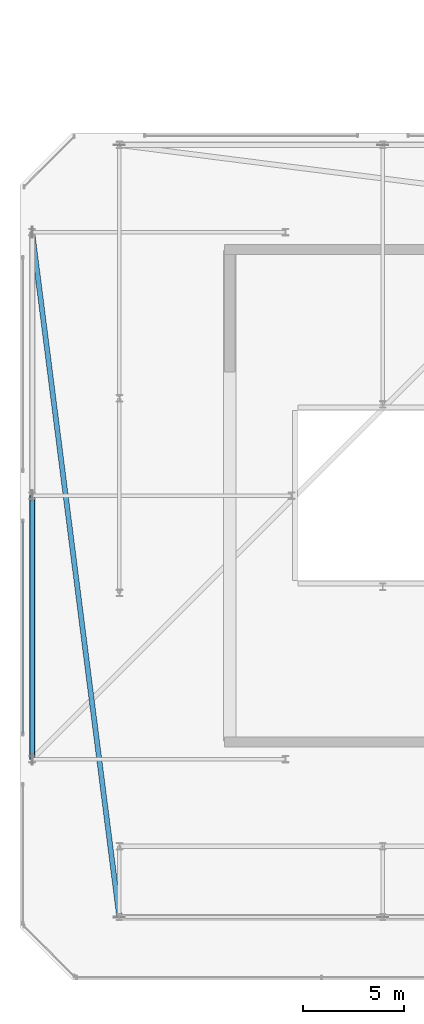
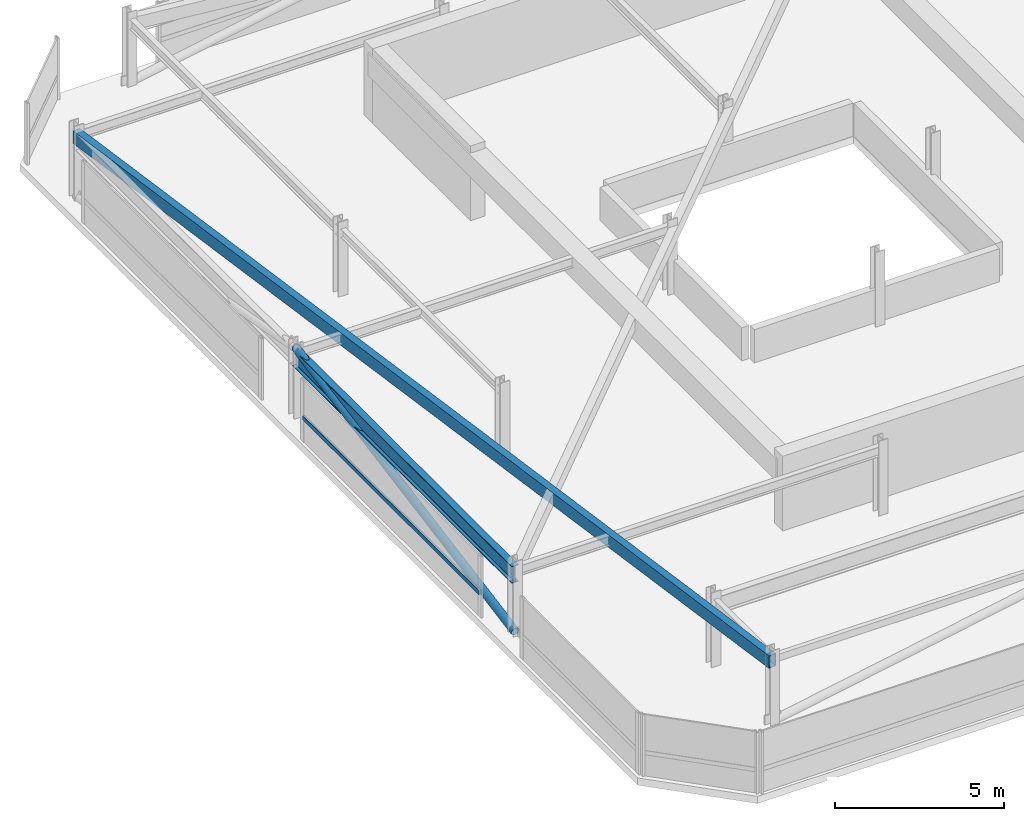
# One storey, part 11 of 42: 2 beams, 2 members, 1 element without a shape of its own.
"""IFC4 building model written with IfcOpenShell, lengths in metres."""

from ifc_helpers import new_model, si_unit, direction, frame, origin, origin_2d, place, context, subcontext, project, spatial, hollow_rectangle, hollow_circle, i_section, extrude, material, material_profile, profile_set, type_object, element, aggregate, save


model = new_model("IFC4")

# Units and contexts
model_context = context("Model", 3, precision=1e-05, world=origin(), true_north=direction((0.0, 1.0)))
body_context = subcontext(model_context, "Body", "Model", "MODEL_VIEW")
ifc_project = project(units=[si_unit("LENGTHUNIT", "METRE"), si_unit("AREAUNIT", "SQUARE_METRE"), si_unit("VOLUMEUNIT", "CUBIC_METRE"), si_unit("PLANEANGLEUNIT", "RADIAN"), si_unit("MASSUNIT", "GRAM", prefix="KILO")], contexts=[model_context])

# Site, building, storey
site_placement = place(None, origin())
site = spatial("IfcSite", under=ifc_project, at=site_placement, CompositionType="ELEMENT")
building_placement = place(site_placement, origin())
building = spatial("IfcBuilding", under=site, at=building_placement, Name="Thornwick Lancets Civic Towers", CompositionType="ELEMENT")
storey_placement = place(building_placement, frame((0.0, 0.0, 289.5)))
storey = spatial("IfcBuildingStorey", under=building, at=storey_placement, Name="C04", CompositionType="ELEMENT", Elevation=289.5)

# Beams
ifc_material_1 = material(Name="Steel S355JR", Category="steel")
ifc_material_profile_1 = material_profile(ifc_material_1, i_section(OverallWidth=0.230224609375, OverallDepth=0.6171875, WebThickness=0.01318359375, FlangeThickness=0.022216796875, FilletRadius=0.0126953125, at=origin_2d()), Name="UKB 610x229x140")
ifc_profile_set_1 = profile_set([ifc_material_profile_1], Name="Steel S355JR")
beam_type_1 = type_object("IfcBeamType", Name="BM_GIRD_610_140", PredefinedType="BEAM", material=ifc_profile_set_1)
beam_1_placement = place(storey_placement, frame((8.199951171875, 14.0, 2.13134765625), z_axis=(0.0, 1.0, 0.0), x_axis=(-1.0, 0.0, 0.0)))
element("IfcBeam", 1, at=beam_1_placement, inside=storey, type_object=beam_type_1, Name="BM-SPINE-C04-A-9-10", PredefinedType="BEAM", context=body_context, shape_type="SweptSolid", body=[
    extrude(i_section(OverallWidth=0.230224609375, OverallDepth=0.6171875, WebThickness=0.01318359375, FlangeThickness=0.022216796875, FilletRadius=0.0126953125, at=origin_2d()), origin(), (0.0, 0.0, 1.0), 13.0),
])
ifc_material_profile_2 = material_profile(ifc_material_1, hollow_rectangle(XDim=0.25, YDim=0.449951171875, WallThickness=0.01611328125, at=origin_2d()), Name="RHS 450x250x16")
ifc_profile_set_2 = profile_set([ifc_material_profile_2], Name="Steel S355JR")
beam_type_2 = type_object("IfcBeamType", Name="BM_RING_RHS450", PredefinedType="BEAM", material=ifc_profile_set_2)
beam_2_placement = place(storey_placement, frame((8.199951171875, 40.0, 2.215087890625), z_axis=(0.126202998662, -0.992004437051, 0.0), x_axis=(0.992004437051, 0.126202998662, 0.0)))
element("IfcBeam", 2, at=beam_2_placement, inside=storey, type_object=beam_type_2, Name="BM-CHAMF-C04-A-C3", PredefinedType="BEAM", context=body_context, shape_type="SweptSolid", body=[
    extrude(hollow_rectangle(XDim=0.25, YDim=0.449951171875, WallThickness=0.01611328125, at=origin_2d()), origin(), (0.0, 0.0, 1.0), 34.072509765625),
])

# Curtain wall, member
ifc_material_2 = material(Name="Crown ring acoustic-louvre and glazing screen wall", Category="glass")
curtain_wall_type = type_object("IfcCurtainWallType", Name="CW_SYS_07", PredefinedType="NOTDEFINED", material=ifc_material_2)
curtain_wall_placement = place(storey_placement, origin())
curtain_wall = element("IfcCurtainWall", 3, at=curtain_wall_placement, inside=storey, type_object=curtain_wall_type, Name="C04 Curtain Wall CW-C04-A-E6-S2", PredefinedType="NOTDEFINED")
ifc_material_3 = material(Name="Thermally broken bronze aluminium S355", Category="steel")
ifc_material_profile_3 = material_profile(ifc_material_3, hollow_rectangle(XDim=0.074951171875, YDim=0.14990234375, WallThickness=0.0048828125, at=origin_2d()), Name="RHS 150x75x5")
ifc_profile_set_3 = profile_set([ifc_material_profile_3], Name="Thermally broken bronze aluminium S355")
member_type_1 = type_object("IfcMemberType", Name="CW_TRN_150", PredefinedType="USERDEFINED", material=ifc_profile_set_3)
member_1_placement = place(storey_placement, frame((7.7353515625, 25.72998046875, 0.85009765625), z_axis=(0.0, -1.0, 0.0), x_axis=(1.0, 0.0, 0.0)))
member_1 = element("IfcMember", 4, at=member_1_placement, type_object=member_type_1, Name="CW-C04-A-E6-S2 Transom 0", ObjectType="TRANSOM", PredefinedType="USERDEFINED", context=body_context, shape_type="SweptSolid", body=[
    extrude(hollow_rectangle(XDim=0.074951171875, YDim=0.14990234375, WallThickness=0.0048828125, at=origin_2d()), origin(), (0.0, 0.0, 1.0), 10.4599609375),
])
aggregate(curtain_wall, [member_1])

# Member
ifc_material_profile_4 = material_profile(ifc_material_1, hollow_circle(Radius=0.136474609375, WallThickness=0.012451171875, at=origin_2d()), Name="CHS 273x12.5")
ifc_profile_set_4 = profile_set([ifc_material_profile_4], Name="Steel S355JR")
member_type_2 = type_object("IfcMemberType", Name="MEM_CROWN_CHS273", PredefinedType="BRACE", material=ifc_profile_set_4)
member_2_placement = place(storey_placement, frame((8.199951171875, 14.0, 0.050048828125), z_axis=(0.0, 0.98351842104, 0.180807951915), x_axis=(-1.0, 0.0, 0.0)))
element("IfcMember", 5, at=member_2_placement, inside=storey, type_object=member_type_2, Name="C04 Crown Ring Lancet Rib A-S3-L", PredefinedType="BRACE", context=body_context, shape_type="SweptSolid", body=[
    extrude(hollow_circle(Radius=0.136474609375, WallThickness=0.012451171875, at=origin_2d()), origin(), (0.0, 0.0, 1.0), 13.2177734375),
])

save(model, "model.ifc")
